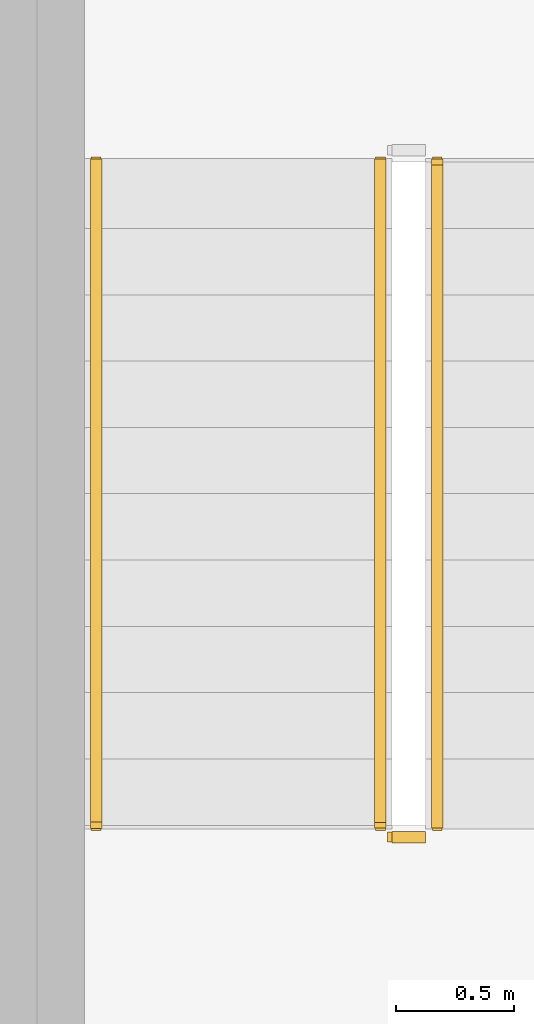
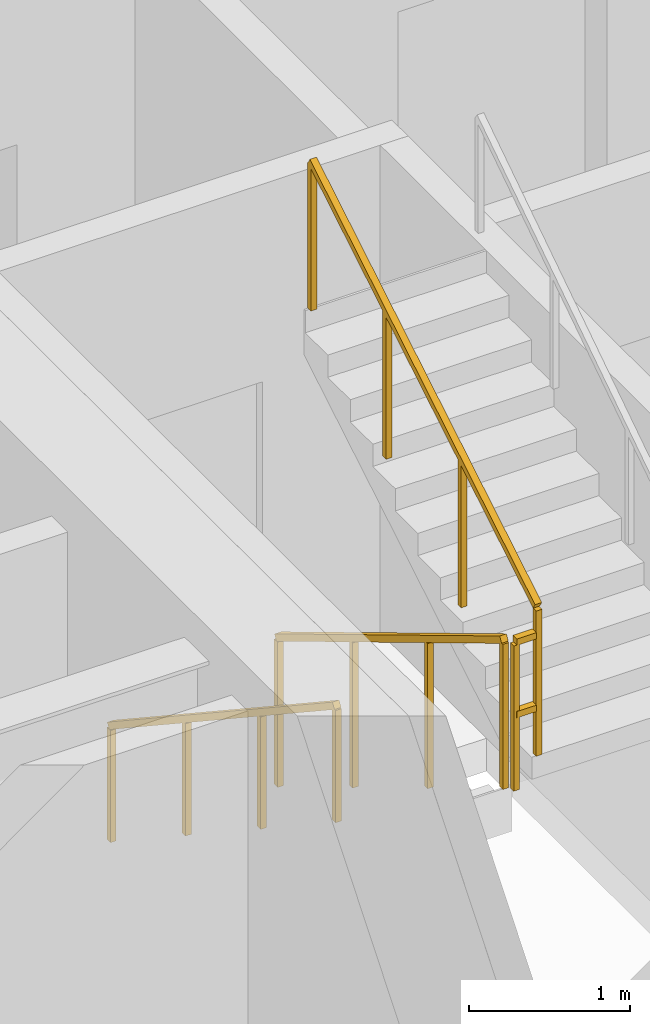
# One storey, part 14 of 18: 4 railings.
"""IFC4 building model written with IfcOpenShell, lengths in metres."""

from ifc_helpers import new_model, si_unit, derived_unit, direction, frame, origin, origin_2d, place, context, subcontext, project, spatial, rectangle, extrude, material, type_object, element, save


model = new_model("IFC4")

# Units and contexts
model_context = context("Model", 3, precision=1e-05, world=origin(), true_north=direction((0.0, 1.0)))
body_context = subcontext(model_context, "Body", "Model", "MODEL_VIEW")
ifc_project = project(units=[si_unit("LENGTHUNIT", "METRE"), si_unit("AREAUNIT", "SQUARE_METRE"), si_unit("VOLUMEUNIT", "CUBIC_METRE"), si_unit("PLANEANGLEUNIT", "RADIAN"), si_unit("MASSUNIT", "GRAM", prefix="KILO"), si_unit("THERMODYNAMICTEMPERATUREUNIT", "KELVIN"), si_unit("POWERUNIT", "WATT"), derived_unit("THERMALTRANSMITTANCEUNIT", [(si_unit("POWERUNIT", "WATT"), 1), (si_unit("AREAUNIT", "SQUARE_METRE"), -1), (si_unit("THERMODYNAMICTEMPERATUREUNIT", "KELVIN"), -1)])], contexts=[model_context])

# Site, building, storey
site_placement = place(None, origin())
site = spatial("IfcSite", under=ifc_project, at=site_placement, CompositionType="ELEMENT")
building_placement = place(site_placement, origin())
building = spatial("IfcBuilding", under=site, at=building_placement, Name="Zahravan Archway Hotel and Residences", CompositionType="ELEMENT")
storey_placement = place(building_placement, frame((0.0, 0.0, 36.10009765625)))
storey = spatial("IfcBuildingStorey", under=building, at=storey_placement, Name="L07", CompositionType="ELEMENT", Elevation=36.10009765625)

# Railings
ifc_material_1 = material(Name="Painted Tubular Steel", Category="steel")
railing_type_1 = type_object("IfcRailingType", Name="RL-STG-1150", PredefinedType="GUARDRAIL", material=ifc_material_1)
railing_1_placement = place(storey_placement, frame((36.550048828125, 9.72998046875, 0.16796875)))
element("IfcRailing", 1, at=railing_1_placement, inside=storey, type_object=railing_type_1, Name="L07 ST-A1 stair guard 1", PredefinedType="GUARDRAIL", context=body_context, shape_type="SweptSolid", body=[
    extrude(rectangle(XDim=0.048095703125, YDim=0.048095703125, at=origin_2d()), frame((0.0, 0.0, 1.1259765625), z_axis=(0.0, -0.857242210791, 0.514913383045), x_axis=(1.0, 0.0, 0.0)), (0.0, 0.0, 1.0), 3.266357421875),
    extrude(rectangle(XDim=0.0419921875, YDim=0.0419921875, at=origin_2d()), origin(), (0.0, 0.0, 1.0), 1.101806640625),
    extrude(rectangle(XDim=0.0419921875, YDim=0.0419921875, at=origin_2d()), frame((0.0, -0.933349609375, 0.560546875)), (0.0, 0.0, 1.0), 1.101806640625),
    extrude(rectangle(XDim=0.0419921875, YDim=0.0419921875, at=origin_2d()), frame((0.0, -1.86669921875, 1.121337890625)), (0.0, 0.0, 1.0), 1.101806640625),
    extrude(rectangle(XDim=0.0419921875, YDim=0.0419921875, at=origin_2d()), frame((0.0, -2.800048828125, 1.681884765625)), (0.0, 0.0, 1.0), 1.101806640625),
])
railing_2_placement = place(storey_placement, frame((36.60009765625, 6.8798828125, 1.849853515625)))
element("IfcRailing", 2, at=railing_2_placement, inside=storey, type_object=railing_type_1, Name="L07 ST-A1 stair guard 2", PredefinedType="GUARDRAIL", context=body_context, shape_type="SweptSolid", body=[
    extrude(rectangle(XDim=0.048095703125, YDim=0.048095703125, at=origin_2d()), frame((0.0, 0.0, 1.1259765625), z_axis=(1.0, 0.0, 0.0), x_axis=(0.0, 1.0, 0.0)), (0.0, 0.0, 1.0), 0.139892578125),
    extrude(rectangle(XDim=0.048095703125, YDim=0.048095703125, at=origin_2d()), frame((0.0, 0.0, 0.574951171875), z_axis=(1.0, 0.0, 0.0), x_axis=(0.0, 1.0, 0.0)), (0.0, 0.0, 1.0), 0.139892578125),
    extrude(rectangle(XDim=0.0419921875, YDim=0.0419921875, at=origin_2d()), origin(), (0.0, 0.0, 1.0), 1.101806640625),
])
railing_3_placement = place(storey_placement, frame((36.7900390625, 6.929931640625, 2.01806640625)))
element("IfcRailing", 3, at=railing_3_placement, inside=storey, type_object=railing_type_1, Name="L07 ST-A1 stair guard 3", PredefinedType="GUARDRAIL", context=body_context, shape_type="SweptSolid", body=[
    extrude(rectangle(XDim=0.048095703125, YDim=0.048095703125, at=origin_2d()), frame((0.0, 0.0, 1.1259765625), z_axis=(0.0, 0.857242210791, 0.514913383045), x_axis=(-1.0, 0.0, 0.0)), (0.0, 0.0, 1.0), 3.266357421875),
    extrude(rectangle(XDim=0.0419921875, YDim=0.0419921875, at=origin_2d()), origin(), (0.0, 0.0, 1.0), 1.101806640625),
    extrude(rectangle(XDim=0.0419921875, YDim=0.0419921875, at=origin_2d()), frame((0.0, 0.933349609375, 0.560546875)), (0.0, 0.0, 1.0), 1.101806640625),
    extrude(rectangle(XDim=0.0419921875, YDim=0.0419921875, at=origin_2d()), frame((0.0, 1.86669921875, 1.121337890625)), (0.0, 0.0, 1.0), 1.101806640625),
    extrude(rectangle(XDim=0.0419921875, YDim=0.0419921875, at=origin_2d()), frame((0.0, 2.800048828125, 1.681884765625)), (0.0, 0.0, 1.0), 1.101806640625),
])
ifc_material_2 = material(Name="Brushed Stainless Steel", Category="steel")
railing_type_2 = type_object("IfcRailingType", Name="RL-STH-900", PredefinedType="HANDRAIL", material=ifc_material_2)
railing_4_placement = place(storey_placement, frame((35.35009765625, 9.72998046875, 0.16796875)))
element("IfcRailing", 4, at=railing_4_placement, inside=storey, type_object=railing_type_2, Name="L07 ST-A1 stair handrail 1", PredefinedType="HANDRAIL", context=body_context, shape_type="SweptSolid", body=[
    extrude(rectangle(XDim=0.048095703125, YDim=0.048095703125, at=origin_2d()), frame((0.0, 0.0, 0.8759765625), z_axis=(0.0, -0.834326358476, 0.551270829586), x_axis=(1.0, 0.0, 0.0)), (0.0, 0.0, 1.0), 3.35595703125),
    extrude(rectangle(XDim=0.0419921875, YDim=0.0419921875, at=origin_2d()), origin(), (0.0, 0.0, 1.0), 0.851806640625),
    extrude(rectangle(XDim=0.0419921875, YDim=0.0419921875, at=origin_2d()), frame((0.0, -0.933349609375, 0.61669921875)), (0.0, 0.0, 1.0), 0.851806640625),
    extrude(rectangle(XDim=0.0419921875, YDim=0.0419921875, at=origin_2d()), frame((0.0, -1.86669921875, 1.2333984375)), (0.0, 0.0, 1.0), 0.851806640625),
    extrude(rectangle(XDim=0.0419921875, YDim=0.0419921875, at=origin_2d()), frame((0.0, -2.800048828125, 1.85009765625)), (0.0, 0.0, 1.0), 0.851806640625),
])

save(model, "model.ifc")
